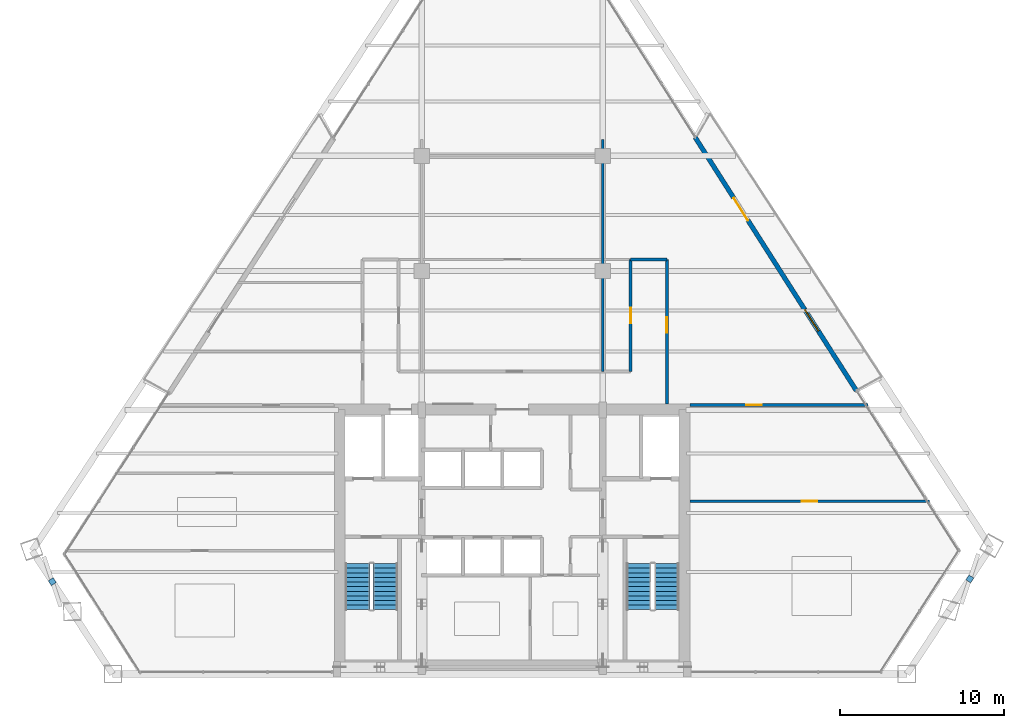
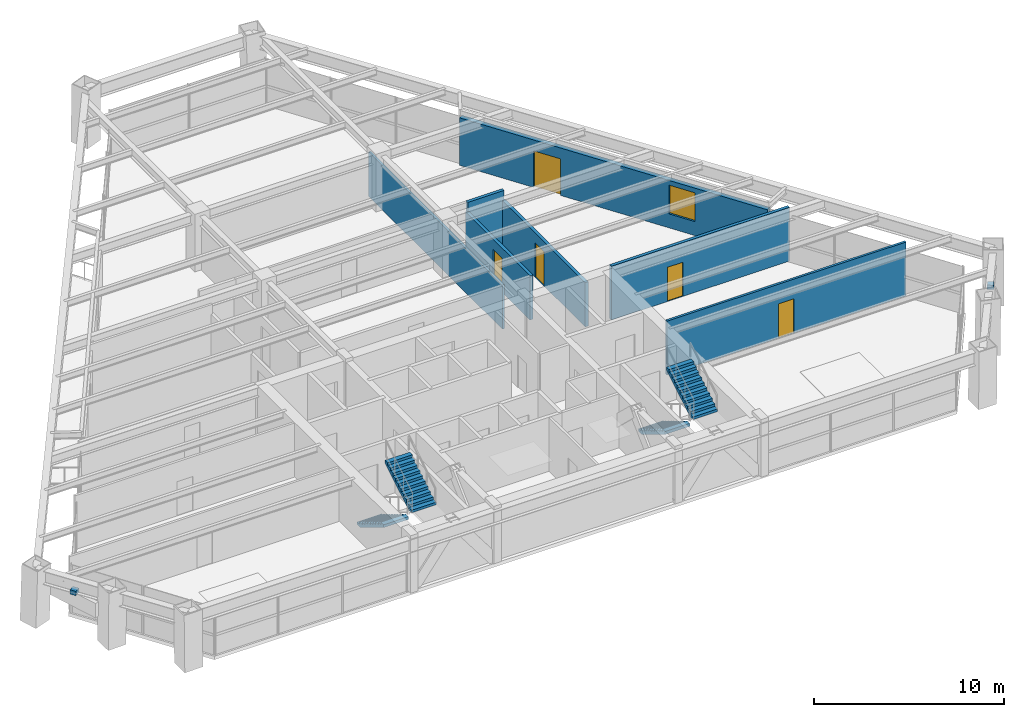
# One storey, part 13 of 15: 7 walls, 5 doors, 4 stair flights, 2 discrete accessories, 1 window, 6 openings, 2 elements without a shape of their own.
"""IFC4 building model written with IfcOpenShell, lengths in metres."""

from ifc_helpers import new_model, si_unit, direction, frame, frame_2d, origin, origin_2d, place, context, subcontext, project, spatial, polyline, rectangle, outline, extrude, source, transform, mapped, material, layer, layer_set, type_object, type_shapes, element, fill, aggregate, save


model = new_model("IFC4")

# Units and contexts
model_context = context("Model", 3, precision=1e-05, world=origin(), true_north=direction((0.0, 1.0)))
body_context = subcontext(model_context, "Body", "Model", "MODEL_VIEW")
ifc_project = project(units=[si_unit("LENGTHUNIT", "METRE"), si_unit("AREAUNIT", "SQUARE_METRE"), si_unit("VOLUMEUNIT", "CUBIC_METRE"), si_unit("PLANEANGLEUNIT", "RADIAN"), si_unit("MASSUNIT", "GRAM", prefix="KILO")], contexts=[model_context])

# Site, building, storey
site_placement = place(None, origin())
site = spatial("IfcSite", under=ifc_project, at=site_placement, CompositionType="ELEMENT")
building_placement = place(site_placement, origin())
building = spatial("IfcBuilding", under=site, at=building_placement, Name="Varnakhor Terracotta Tower", CompositionType="ELEMENT")
storey_placement = place(building_placement, frame((0.0, 0.0, 147.800048828125)))
storey = spatial("IfcBuildingStorey", under=building, at=storey_placement, Name="L37", CompositionType="ELEMENT", Elevation=147.800048828125)

# Wall, opening, door
ifc_material_1 = material(Name="Fire-Rated Gypsum Stud Partition", Category="gypsum")
ifc_layer_1 = layer(ifc_material_1, 0.18505859375, Name="Fire-Rated Gypsum Stud Partition")
ifc_layer_set_1 = layer_set([ifc_layer_1], Name="Fire-Rated Gypsum Stud Partition")
wall_type_1 = type_object("IfcWallType", Name="WAL-CORR-185", PredefinedType="PARTITIONING", material=ifc_layer_set_1)
wall_1_placement = place(storey_placement, frame((7.199951171875, 18.39990234375, 0.0), z_axis=(0.0, 0.0, 1.0), x_axis=(0.0, 1.0, 0.0)))
wall_1 = element("IfcWall", 1, at=wall_1_placement, inside=storey, type_object=wall_type_1, Name="L37 East Gallery Inner Wall", PredefinedType="PARTITIONING", context=body_context, shape_type="SweptSolid", body=[
    extrude(rectangle(XDim=6.800048828125, YDim=0.18505859375, at=frame_2d((3.39990234375, 0.0))), origin(), (0.0, 0.0, 1.0), 2.845947265625),
])
opening_1_placement = place(wall_1_placement, frame((2.925048828125, 0.0, 0.0)))
opening_1 = element("IfcOpeningElement", 2, at=opening_1_placement, cuts=wall_1, Name="Opening DR-94", PredefinedType="OPENING", context=body_context, shape_type="SweptSolid", body=[
    extrude(rectangle(XDim=0.949951171875, YDim=2.199951171875, at=frame_2d((0.47509765625, 1.10009765625))), frame((0.0, 0.1025390625, 0.0), z_axis=(0.0, -1.0, 0.0), x_axis=(1.0, 0.0, 0.0)), (0.0, 0.0, 1.0), 0.205078125),
])
ifc_material_2 = material(Name="Acoustic Glazed-Vision Timber Office Door", Category="wood")
door_type_1 = type_object("IfcDoorType", Name="DR-OFF-950X2200", OperationType="NOTDEFINED", PredefinedType="DOOR", material=ifc_material_2)
shared_shape_1 = source(origin(), body_context, "Body", "SweptSolid", [
    extrude(rectangle(XDim=0.949951171875, YDim=2.199951171875, at=frame_2d((0.47509765625, 1.10009765625))), frame((0.0, 0.02490234375, 0.0), z_axis=(0.0, -1.0, 0.0), x_axis=(1.0, 0.0, 0.0)), (0.0, 0.0, 1.0), 0.050048828125),
])
type_shapes(door_type_1, [shared_shape_1])
door_1_placement = place(opening_1_placement, origin())
door_1 = element("IfcDoor", 3, at=door_1_placement, inside=storey, type_object=door_type_1, Name="L37 Staff Dining Kitchen 1 B10 Door", OperationType="SINGLE_SWING_LEFT", OverallHeight=2.199951171875, OverallWidth=0.949951171875, PredefinedType="DOOR", context=body_context, shape_type="MappedRepresentation", body=[
    mapped(shared_shape_1, transform((0.0, 0.0, 0.0), scale=1.0)),
])
fill(opening_1, door_1)

wall_2_placement = place(storey_placement, frame((9.39990234375, 16.39990234375, 0.0), z_axis=(0.0, 0.0, 1.0), x_axis=(0.0, 1.0, 0.0)))
wall_2 = element("IfcWall", 4, at=wall_2_placement, inside=storey, type_object=wall_type_1, Name="L37 East Gallery Outer Wall", PredefinedType="PARTITIONING", context=body_context, shape_type="SweptSolid", body=[
    extrude(rectangle(XDim=8.800048828125, YDim=0.18505859375, at=frame_2d((4.39990234375, 0.0))), origin(), (0.0, 0.0, 1.0), 2.845947265625),
])
opening_2_placement = place(wall_2_placement, frame((4.3310546875, 0.0, 0.0)))
opening_2 = element("IfcOpeningElement", 5, at=opening_2_placement, cuts=wall_2, Name="Opening DR-94", PredefinedType="OPENING", context=body_context, shape_type="SweptSolid", body=[
    extrude(rectangle(XDim=0.949951171875, YDim=2.199951171875, at=frame_2d((0.47509765625, 1.10009765625))), frame((0.0, 0.1025390625, 0.0), z_axis=(0.0, -1.0, 0.0), x_axis=(1.0, 0.0, 0.0)), (0.0, 0.0, 1.0), 0.205078125),
])
door_2_placement = place(opening_2_placement, origin())
door_2 = element("IfcDoor", 6, at=door_2_placement, inside=storey, type_object=door_type_1, Name="L37 East Wing Door", OperationType="SINGLE_SWING_LEFT", OverallHeight=2.199951171875, OverallWidth=0.949951171875, PredefinedType="DOOR", context=body_context, shape_type="MappedRepresentation", body=[
    mapped(shared_shape_1, transform((0.0, 0.0, 0.0), scale=1.0)),
])
fill(opening_2, door_2)

# Wall
wall_3_placement = place(storey_placement, frame((7.199951171875, 25.199951171875, 0.0), z_axis=(0.0, 0.0, 1.0), x_axis=(1.0, 0.0, 0.0)))
element("IfcWall", 7, at=wall_3_placement, inside=storey, type_object=wall_type_1, Name="L37 East Gallery North End", PredefinedType="PARTITIONING", context=body_context, shape_type="SweptSolid", body=[
    extrude(rectangle(XDim=2.199951171875, YDim=0.18505859375, at=frame_2d((1.10009765625, 0.0))), origin(), (0.0, 0.0, 1.0), 3.4619140625),
])

# Wall, opening, door
wall_4_placement = place(storey_placement, frame((10.820068359375, 16.35009765625, 0.0), z_axis=(0.0, 0.0, 1.0), x_axis=(1.0, 0.0, 0.0)))
wall_4 = element("IfcWall", 8, at=wall_4_placement, inside=storey, type_object=wall_type_1, Name="L37 South East Entry Wall", PredefinedType="PARTITIONING", context=body_context, shape_type="SweptSolid", body=[
    extrude(rectangle(XDim=10.812744140625, YDim=0.18505859375, at=frame_2d((5.40625, 0.0))), origin(), (0.0, 0.0, 1.0), 3.4619140625),
])
opening_3_placement = place(wall_4_placement, frame((3.41162109375, 0.0, 0.0)))
opening_3 = element("IfcOpeningElement", 9, at=opening_3_placement, cuts=wall_4, Name="Opening DR-94", PredefinedType="OPENING", context=body_context, shape_type="SweptSolid", body=[
    extrude(rectangle(XDim=0.949951171875, YDim=2.199951171875, at=frame_2d((0.47509765625, 1.10009765625))), frame((0.0, 0.1025390625, 0.0), z_axis=(0.0, -1.0, 0.0), x_axis=(1.0, 0.0, 0.0)), (0.0, 0.0, 1.0), 0.205078125),
])
door_3_placement = place(opening_3_placement, origin())
door_3 = element("IfcDoor", 10, at=door_3_placement, inside=storey, type_object=door_type_1, Name="L37 SE Suite Door", OperationType="SINGLE_SWING_LEFT", OverallHeight=2.199951171875, OverallWidth=0.949951171875, PredefinedType="DOOR", context=body_context, shape_type="MappedRepresentation", body=[
    mapped(shared_shape_1, transform((0.0, 0.0, 0.0), scale=1.0)),
])
fill(opening_3, door_3)

# Wall, openings, door, window
ifc_material_3 = material(Name="Extruded Architectural Terracotta Assembly", Category="masonry")
ifc_layer_2 = layer(ifc_material_3, 0.280029296875, Name="Extruded Architectural Terracotta Assembly")
ifc_layer_set_2 = layer_set([ifc_layer_2], Name="Extruded Architectural Terracotta Assembly")
wall_type_2 = type_object("IfcWallType", Name="WAL-EXT-TERRACOTTA-280", PredefinedType="SOLIDWALL", material=ifc_layer_set_2)
wall_5_placement = place(storey_placement, frame((11.119140625, 32.6259765625, 0.0), z_axis=(0.0, 0.0, 1.0), x_axis=(0.536952496922, -0.843612479785, 0.0)))
wall_5 = element("IfcWall", 11, at=wall_5_placement, inside=storey, type_object=wall_type_2, Name="L37 E Loggia Insulated Terracotta Wall", PredefinedType="SOLIDWALL", context=body_context, shape_type="SweptSolid", body=[
    extrude(rectangle(XDim=18.257568359375, YDim=0.280029296875, at=frame_2d((9.12890625, 0.0))), origin(), (0.0, 0.0, 1.0), 3.050048828125),
])
opening_4_placement = place(wall_5_placement, frame((4.3818359375, 0.0, 0.0)))
opening_4 = element("IfcOpeningElement", 12, at=opening_4_placement, cuts=wall_5, Name="Opening DR-62", PredefinedType="OPENING", context=body_context, shape_type="SweptSolid", body=[
    extrude(rectangle(XDim=1.60009765625, YDim=2.35009765625, at=frame_2d((0.800048828125, 1.175048828125))), frame((0.0, 0.14990234375, 0.0), z_axis=(0.0, -1.0, 0.0), x_axis=(1.0, 0.0, 0.0)), (0.0, 0.0, 1.0), 0.300048828125),
])
opening_5_placement = place(wall_5_placement, frame((12.415283203125, 0.0, 0.89990234375)))
opening_5 = element("IfcOpeningElement", 13, at=opening_5_placement, cuts=wall_5, Name="Opening WN-57", PredefinedType="OPENING", context=body_context, shape_type="SweptSolid", body=[
    extrude(rectangle(XDim=1.550048828125, YDim=1.85009765625, at=frame_2d((0.77490234375, 0.925048828125))), frame((0.0, 0.14990234375, 0.0), z_axis=(0.0, -1.0, 0.0), x_axis=(1.0, 0.0, 0.0)), (0.0, 0.0, 1.0), 0.300048828125),
])
ifc_material_4 = material(Name="Thermally Broken Sliding Glass Loggia Door", Category="glass")
door_type_2 = type_object("IfcDoorType", Name="DR-EXT-LOGGIA-1600X2350", OperationType="NOTDEFINED", PredefinedType="DOOR", material=ifc_material_4)
shared_shape_2 = source(origin(), body_context, "Body", "SweptSolid", [
    extrude(rectangle(XDim=1.60009765625, YDim=2.35009765625, at=frame_2d((0.800048828125, 1.175048828125))), frame((0.0, 0.02490234375, 0.0), z_axis=(0.0, -1.0, 0.0), x_axis=(1.0, 0.0, 0.0)), (0.0, 0.0, 1.0), 0.050048828125),
])
type_shapes(door_type_2, [shared_shape_2])
door_4_placement = place(opening_4_placement, origin())
door_4 = element("IfcDoor", 14, at=door_4_placement, inside=storey, type_object=door_type_2, Name="L37 E Recessed Loggia Sliding Door", OperationType="SLIDING_TO_RIGHT", OverallHeight=2.35009765625, OverallWidth=1.60009765625, PredefinedType="DOOR", context=body_context, shape_type="MappedRepresentation", body=[
    mapped(shared_shape_2, transform((0.0, 0.0, 0.0), scale=1.0)),
])
fill(opening_4, door_4)
ifc_material_5 = material(Name="Solar-Control Low-E Insulated Glass Unit", Category="glass")
window_type = type_object("IfcWindowType", Name="WIN-OFF-1650X2100", PartitioningType="SINGLE_PANEL", PredefinedType="WINDOW", material=ifc_material_5)
shared_shape_3 = source(origin(), body_context, "Body", "SweptSolid", [
    extrude(rectangle(XDim=1.550048828125, YDim=1.85009765625, at=frame_2d((0.77490234375, 0.925048828125))), frame((0.0, 0.030029296875, 0.0), z_axis=(0.0, -1.0, 0.0), x_axis=(1.0, 0.0, 0.0)), (0.0, 0.0, 1.0), 0.06005859375),
])
type_shapes(window_type, [shared_shape_3])
window_placement = place(opening_5_placement, origin())
window = element("IfcWindow", 15, at=window_placement, inside=storey, type_object=window_type, Name="L37 E Facet Punched Window", OverallHeight=1.85009765625, OverallWidth=1.550048828125, PartitioningType="SINGLE_PANEL", PredefinedType="WINDOW", context=body_context, shape_type="MappedRepresentation", body=[
    mapped(shared_shape_3, transform((0.0, 0.0, 0.0), scale=1.0)),
])
fill(opening_5, window)

# Wall
ifc_material_6 = material(Name="Acoustic Metal-Stud Partition", Category="gypsum")
ifc_layer_3 = layer(ifc_material_6, 0.139892578125, Name="Acoustic Metal-Stud Partition")
ifc_layer_set_3 = layer_set([ifc_layer_3], Name="Acoustic Metal-Stud Partition")
wall_type_3 = type_object("IfcWallType", Name="WAL-PART-140", PredefinedType="PARTITIONING", material=ifc_layer_set_3)
wall_6_placement = place(storey_placement, frame((5.5, 18.39990234375, 0.0), z_axis=(0.0, 0.0, 1.0), x_axis=(0.0, 1.0, 0.0)))
element("IfcWall", 16, at=wall_6_placement, inside=storey, type_object=wall_type_3, Name="L37 Center East Column Wall", PredefinedType="PARTITIONING", context=body_context, shape_type="SweptSolid", body=[
    extrude(rectangle(XDim=14.10009765625, YDim=0.139892578125, at=frame_2d((7.050048828125, 0.0))), origin(), (0.0, 0.0, 1.0), 2.845947265625),
])

# Wall, opening, door
wall_7_placement = place(storey_placement, frame((10.820068359375, 10.5, 0.0), z_axis=(0.0, 0.0, 1.0), x_axis=(1.0, 0.0, 0.0)))
wall_7 = element("IfcWall", 17, at=wall_7_placement, inside=storey, type_object=wall_type_3, Name="L37 East Wing Cut 1", PredefinedType="PARTITIONING", context=body_context, shape_type="SweptSolid", body=[
    extrude(rectangle(XDim=14.536376953125, YDim=0.139892578125, at=frame_2d((7.26806640625, 0.0))), origin(), (0.0, 0.0, 1.0), 3.4619140625),
])
opening_6_placement = place(wall_7_placement, frame((6.785400390625, 0.0, 0.0)))
opening_6 = element("IfcOpeningElement", 18, at=opening_6_placement, cuts=wall_7, Name="Opening DR-94", PredefinedType="OPENING", context=body_context, shape_type="SweptSolid", body=[
    extrude(rectangle(XDim=0.949951171875, YDim=2.199951171875, at=frame_2d((0.47509765625, 1.10009765625))), frame((0.0, 0.080078125, 0.0), z_axis=(0.0, -1.0, 0.0), x_axis=(1.0, 0.0, 0.0)), (0.0, 0.0, 1.0), 0.159912109375),
])
door_5_placement = place(opening_6_placement, origin())
door_5 = element("IfcDoor", 19, at=door_5_placement, inside=storey, type_object=door_type_1, Name="L37 Staff Dining Kitchen 1 SE Door", OperationType="SINGLE_SWING_RIGHT", OverallHeight=2.199951171875, OverallWidth=0.949951171875, PredefinedType="DOOR", context=body_context, shape_type="MappedRepresentation", body=[
    mapped(shared_shape_1, transform((0.0, 0.0, 0.0), scale=1.0)),
])
fill(opening_6, door_5)

# Stair, stair flights
ifc_material_7 = material(Name="Concrete C40/50", Category="concrete")
stair_type = type_object("IfcStairType", Name="STR-CORE-OFFICE-1500", PredefinedType="HALF_TURN_STAIR", material=ifc_material_7)
stair_1_placement = place(storey_placement, origin())
stair_1 = element("IfcStair", 20, at=stair_1_placement, inside=storey, type_object=stair_type, Name="L37 Core Exit Stair ST-1", PredefinedType="HALF_TURN_STAIR")
stair_flight_type = type_object("IfcStairFlightType", Name="FLT-CORE-1500", PredefinedType="STRAIGHT", material=ifc_material_7)
stair_flight_1_placement = place(storey_placement, frame((-9.39990234375, 6.7099609375, 0.0), z_axis=(0.0, 0.0, 1.0), x_axis=(0.0, -1.0, 0.0)))
stair_flight_1 = element("IfcStairFlight", 21, at=stair_flight_1_placement, type_object=stair_flight_type, Name="ST-1 flight 1", NumberOfRisers=11, NumberOfTreads=10, PredefinedType="STRAIGHT", RiserHeight=0.168181818, TreadLength=0.28, context=body_context, shape_type="SweptSolid", body=[
    extrude(outline(polyline([(0.0, 0.0), (0.0, 0.168212890625), (0.280029296875, 0.168212890625), (0.280029296875, 0.33642578125), (0.56005859375, 0.33642578125), (0.56005859375, 0.504638671875), (0.840087890625, 0.504638671875), (0.840087890625, 0.672607421875), (1.1201171875, 0.672607421875), (1.1201171875, 0.8408203125), (1.39990234375, 0.8408203125), (1.39990234375, 1.009033203125), (1.679931640625, 1.009033203125), (1.679931640625, 1.17724609375), (1.9599609375, 1.17724609375), (1.9599609375, 1.345458984375), (2.239990234375, 1.345458984375), (2.239990234375, 1.513671875), (2.52001953125, 1.513671875), (2.52001953125, 1.681884765625), (2.800048828125, 1.681884765625), (2.800048828125, 1.85009765625), (2.800048828125, 1.495361328125), (0.310546875, 0.0), (0.0, 0.0)])), frame((0.0, 0.75, 0.0), z_axis=(0.0, -1.0, 0.0), x_axis=(1.0, 0.0, 0.0)), (0.0, 0.0, 1.0), 1.5),
])
stair_flight_2_placement = place(storey_placement, frame((-7.699951171875, 3.909912109375, 1.849853515625), z_axis=(0.0, 0.0, 1.0), x_axis=(0.0, 1.0, 0.0)))
stair_flight_2 = element("IfcStairFlight", 22, at=stair_flight_2_placement, type_object=stair_flight_type, Name="ST-1 flight 2", NumberOfRisers=11, NumberOfTreads=10, PredefinedType="STRAIGHT", RiserHeight=0.168181818, TreadLength=0.28, context=body_context, shape_type="SweptSolid", body=[
    extrude(outline(polyline([(0.0, 0.0), (0.0, 0.168212890625), (0.280029296875, 0.168212890625), (0.280029296875, 0.33642578125), (0.56005859375, 0.33642578125), (0.56005859375, 0.504638671875), (0.840087890625, 0.504638671875), (0.840087890625, 0.672607421875), (1.1201171875, 0.672607421875), (1.1201171875, 0.8408203125), (1.39990234375, 0.8408203125), (1.39990234375, 1.009033203125), (1.679931640625, 1.009033203125), (1.679931640625, 1.17724609375), (1.9599609375, 1.17724609375), (1.9599609375, 1.345458984375), (2.239990234375, 1.345458984375), (2.239990234375, 1.513671875), (2.52001953125, 1.513671875), (2.52001953125, 1.681884765625), (2.800048828125, 1.681884765625), (2.800048828125, 1.85009765625), (2.800048828125, 1.495361328125), (0.310546875, 0.0), (0.0, 0.0)])), frame((0.0, 0.75, 0.0), z_axis=(0.0, -1.0, 0.0), x_axis=(1.0, 0.0, 0.0)), (0.0, 0.0, 1.0), 1.5),
])
aggregate(stair_1, [stair_flight_1, stair_flight_2])

stair_2_placement = place(storey_placement, origin())
stair_2 = element("IfcStair", 23, at=stair_2_placement, inside=storey, type_object=stair_type, Name="L37 Core Exit Stair ST-2", PredefinedType="HALF_TURN_STAIR")
stair_flight_3_placement = place(storey_placement, frame((7.699951171875, 6.7099609375, 0.0), z_axis=(0.0, 0.0, 1.0), x_axis=(0.0, -1.0, 0.0)))
stair_flight_3 = element("IfcStairFlight", 24, at=stair_flight_3_placement, type_object=stair_flight_type, Name="ST-2 flight 1", NumberOfRisers=11, NumberOfTreads=10, PredefinedType="STRAIGHT", RiserHeight=0.168181818, TreadLength=0.28, context=body_context, shape_type="SweptSolid", body=[
    extrude(outline(polyline([(0.0, 0.0), (0.0, 0.168212890625), (0.280029296875, 0.168212890625), (0.280029296875, 0.33642578125), (0.56005859375, 0.33642578125), (0.56005859375, 0.504638671875), (0.840087890625, 0.504638671875), (0.840087890625, 0.672607421875), (1.1201171875, 0.672607421875), (1.1201171875, 0.8408203125), (1.39990234375, 0.8408203125), (1.39990234375, 1.009033203125), (1.679931640625, 1.009033203125), (1.679931640625, 1.17724609375), (1.9599609375, 1.17724609375), (1.9599609375, 1.345458984375), (2.239990234375, 1.345458984375), (2.239990234375, 1.513671875), (2.52001953125, 1.513671875), (2.52001953125, 1.681884765625), (2.800048828125, 1.681884765625), (2.800048828125, 1.85009765625), (2.800048828125, 1.495361328125), (0.310546875, 0.0), (0.0, 0.0)])), frame((0.0, 0.75, 0.0), z_axis=(0.0, -1.0, 0.0), x_axis=(1.0, 0.0, 0.0)), (0.0, 0.0, 1.0), 1.5),
])
stair_flight_4_placement = place(storey_placement, frame((9.39990234375, 3.909912109375, 1.849853515625), z_axis=(0.0, 0.0, 1.0), x_axis=(0.0, 1.0, 0.0)))
stair_flight_4 = element("IfcStairFlight", 25, at=stair_flight_4_placement, type_object=stair_flight_type, Name="ST-2 flight 2", NumberOfRisers=11, NumberOfTreads=10, PredefinedType="STRAIGHT", RiserHeight=0.168181818, TreadLength=0.28, context=body_context, shape_type="SweptSolid", body=[
    extrude(outline(polyline([(0.0, 0.0), (0.0, 0.168212890625), (0.280029296875, 0.168212890625), (0.280029296875, 0.33642578125), (0.56005859375, 0.33642578125), (0.56005859375, 0.504638671875), (0.840087890625, 0.504638671875), (0.840087890625, 0.672607421875), (1.1201171875, 0.672607421875), (1.1201171875, 0.8408203125), (1.39990234375, 0.8408203125), (1.39990234375, 1.009033203125), (1.679931640625, 1.009033203125), (1.679931640625, 1.17724609375), (1.9599609375, 1.17724609375), (1.9599609375, 1.345458984375), (2.239990234375, 1.345458984375), (2.239990234375, 1.513671875), (2.52001953125, 1.513671875), (2.52001953125, 1.681884765625), (2.800048828125, 1.681884765625), (2.800048828125, 1.85009765625), (2.800048828125, 1.495361328125), (0.310546875, 0.0), (0.0, 0.0)])), frame((0.0, 0.75, 0.0), z_axis=(0.0, -1.0, 0.0), x_axis=(1.0, 0.0, 0.0)), (0.0, 0.0, 1.0), 1.5),
])
aggregate(stair_2, [stair_flight_3, stair_flight_4])

# Discrete accessories
ifc_material_8 = material(Name="Stainless Steel Fixing Bracket", Category="steel")
discrete_accessory_type = type_object("IfcDiscreteAccessoryType", Name="BRACKET-TERRACOTTA-SCREEN", PredefinedType="BRACKET", material=ifc_material_8)
shared_shape_4 = source(origin(), body_context, "Body", "SweptSolid", [
    extrude(rectangle(XDim=0.35009765625, YDim=0.35009765625, at=origin_2d()), origin(), (0.0, 0.0, 1.0), 0.280029296875),
])
type_shapes(discrete_accessory_type, [shared_shape_4])
for number, where, z_axis, x_axis, name in (
    (26, (27.817626953125, 5.78076171875, 2.48486328125), (0.0, 0.0, 1.0), (0.550437026799, 0.834876685223, 0.0), "L37 E Screen Fixing Bracket"),
    (27, (-27.958984375, 5.6142578125, 2.48486328125), (0.0, 0.0, 1.0), (0.546262781397, -0.837613857132, 0.0), "L37 W Screen Fixing Bracket"),
):
    element("IfcDiscreteAccessory", number, at=place(storey_placement, frame(where, z_axis=z_axis, x_axis=x_axis)), inside=storey, type_object=discrete_accessory_type, Name=name, PredefinedType="BRACKET", context=body_context, shape_type="MappedRepresentation", body=[
        mapped(shared_shape_4, transform((0.0, 0.0, 0.0), scale=1.0)),
    ])

save(model, "model.ifc")
